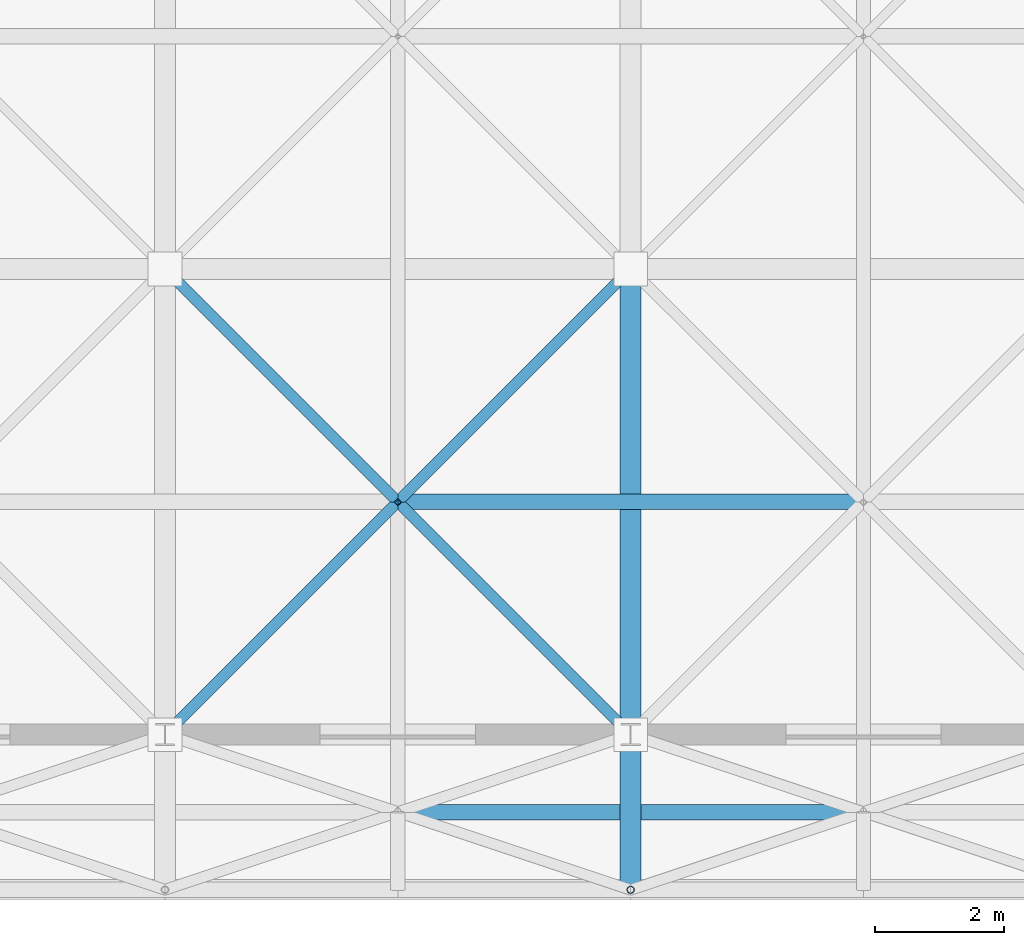
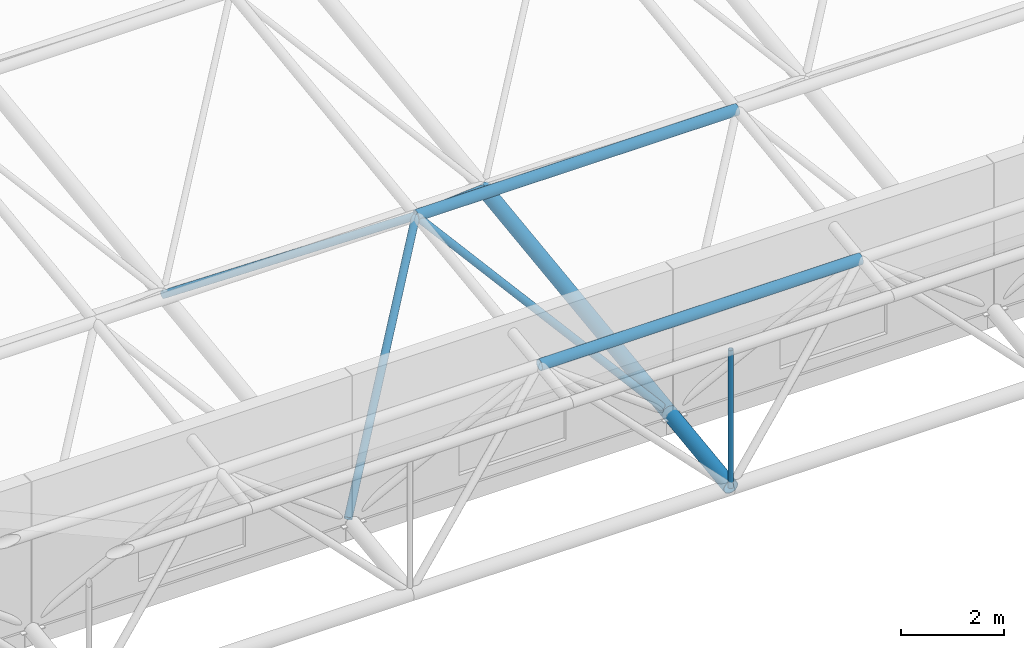
# One storey, part 50 of 103: 9 members.
"""IFC4 building model written with IfcOpenShell, lengths in metres."""

from ifc_helpers import new_model, si_unit, direction, frame, origin, origin_2d, place, context, subcontext, project, spatial, hollow_circle, extrude, material, material_profile, profile_set, type_object, element, save


model = new_model("IFC4")

# Units and contexts
model_context = context("Model", 3, precision=1e-05, world=origin(), true_north=direction((0.0, 1.0)))
body_context = subcontext(model_context, "Body", "Model", "MODEL_VIEW")
ifc_project = project(units=[si_unit("LENGTHUNIT", "METRE"), si_unit("AREAUNIT", "SQUARE_METRE"), si_unit("VOLUMEUNIT", "CUBIC_METRE"), si_unit("PLANEANGLEUNIT", "RADIAN"), si_unit("MASSUNIT", "GRAM", prefix="KILO")], contexts=[model_context])

# Site, building, storey
site_placement = place(None, origin())
site = spatial("IfcSite", under=ifc_project, at=site_placement, CompositionType="ELEMENT")
building_placement = place(site_placement, origin())
building = spatial("IfcBuilding", under=site, at=building_placement, Name="Thalmaran Polytechnic", CompositionType="ELEMENT")
storey_placement = place(building_placement, frame((0.0, 0.0, 14.39990234375)))
storey = spatial("IfcBuildingStorey", under=building, at=storey_placement, Name="L03", CompositionType="ELEMENT", Elevation=14.39990234375)

# Members
ifc_material = material(Name="Steel S355", Category="steel")
ifc_material_profile_1 = material_profile(ifc_material, hollow_circle(Radius=0.122314453125, WallThickness=0.010009765625, at=origin_2d()), Name="CHS 244.5x10.0")
ifc_profile_set_1 = profile_set([ifc_material_profile_1], Name="Steel S355")
member_type_1 = type_object("IfcMemberType", Name="MB-SFC1", PredefinedType="CHORD", material=ifc_profile_set_1)
for number, where, z_axis, x_axis, name in (
    (1, (154.800048828125, -1.199951171875, 3.4921875), (1.0, 0.0, 0.0), (0.0, 1.0, 0.0), "Space-Frame Top Chord X (7,1)"),
    (2, (154.800048828125, 3.60009765625, 4.1240234375), (1.0, 0.0, 0.0), (0.0, 1.0, 0.0), "Space-Frame Top Chord X (7,2)"),
):
    element("IfcMember", number, at=place(storey_placement, frame(where, z_axis=z_axis, x_axis=x_axis)), inside=storey, type_object=member_type_1, Name=name, PredefinedType="CHORD", context=body_context, shape_type="SweptSolid", body=[
        extrude(hollow_circle(Radius=0.122314453125, WallThickness=0.010009765625, at=origin_2d()), origin(), (0.0, 0.0, 1.0), 7.199951171875),
    ])
ifc_material_profile_2 = material_profile(ifc_material, hollow_circle(Radius=0.161865234375, WallThickness=0.012451171875, at=origin_2d()), Name="CHS 323.9x12.5")
ifc_profile_set_2 = profile_set([ifc_material_profile_2], Name="Steel S355")
member_type_2 = type_object("IfcMemberType", Name="MB-SFC4", PredefinedType="CHORD", material=ifc_profile_set_2)
member_1_placement = place(storey_placement, frame((158.39990234375, -2.39990234375, 0.064208984375), z_axis=(0.0, 0.99144674145, 0.130511910828), x_axis=(-1.0, 0.0, 0.0)))
element("IfcMember", 3, at=member_1_placement, inside=storey, type_object=member_type_2, Name="Space-Frame Bottom Chord Y (7,0)", PredefinedType="CHORD", context=body_context, shape_type="SweptSolid", body=[
    extrude(hollow_circle(Radius=0.161865234375, WallThickness=0.012451171875, at=origin_2d()), origin(), (0.0, 0.0, 1.0), 2.420654296875),
])
member_2_placement = place(storey_placement, frame((158.39990234375, 0.0, 0.380126953125), z_axis=(0.0, 0.991447314079, 0.130507560722), x_axis=(-1.0, 0.0, 0.0)))
element("IfcMember", 4, at=member_2_placement, inside=storey, type_object=member_type_2, Name="Space-Frame Bottom Chord Y (7,1)", PredefinedType="CHORD", context=body_context, shape_type="SweptSolid", body=[
    extrude(hollow_circle(Radius=0.161865234375, WallThickness=0.012451171875, at=origin_2d()), origin(), (0.0, 0.0, 1.0), 7.261962890625),
])
ifc_material_profile_3 = material_profile(ifc_material, hollow_circle(Radius=0.084228515625, WallThickness=0.008056640625, at=origin_2d()), Name="CHS 168.3x8.0")
ifc_profile_set_3 = profile_set([ifc_material_profile_3], Name="Steel S355")
member_type_3 = type_object("IfcMemberType", Name="MB-SFD1", PredefinedType="BRACE", material=ifc_profile_set_3)
for number, where, z_axis, x_axis, name in (
    (5, (151.199951171875, 0.0, 0.380126953125), (0.569665890713, 0.569665890713, 0.592420075552), (-0.707106781187, 0.707106781187, 0.0), "Space-Frame Web Diagonal (6,1)-1"),
    (6, (158.39990234375, 0.0, 0.380126953125), (-0.569639794751, 0.569678427494, 0.592433113089), (-0.707130757816, -0.707082803744, 0.0), "Space-Frame Web Diagonal (6,1)-2"),
):
    element("IfcMember", number, at=place(storey_placement, frame(where, z_axis=z_axis, x_axis=x_axis)), inside=storey, type_object=member_type_3, Name=name, PredefinedType="BRACE", context=body_context, shape_type="SweptSolid", body=[
        extrude(hollow_circle(Radius=0.084228515625, WallThickness=0.008056640625, at=origin_2d()), origin(), (0.0, 0.0, 1.0), 6.319580078125),
    ])
for number, where, z_axis, x_axis, name in (
    (7, (151.199951171875, 7.199951171875, 1.327880859375), (0.619803774917, -0.619761742923, 0.481392420597), (0.707082803744, 0.707130757816, 0.0), "Space-Frame Web Diagonal (6,1)-3"),
    (8, (158.39990234375, 7.199951171875, 1.327880859375), (-0.619777888784, -0.619777888784, 0.481404961699), (0.707106781187, -0.707106781187, 0.0), "Space-Frame Web Diagonal (6,1)-4"),
):
    element("IfcMember", number, at=place(storey_placement, frame(where, z_axis=z_axis, x_axis=x_axis)), inside=storey, type_object=member_type_3, Name=name, PredefinedType="BRACE", context=body_context, shape_type="SweptSolid", body=[
        extrude(hollow_circle(Radius=0.084228515625, WallThickness=0.008056640625, at=origin_2d()), origin(), (0.0, 0.0, 1.0), 5.808349609375),
    ])
ifc_material_profile_4 = material_profile(ifc_material, hollow_circle(Radius=0.05712890625, WallThickness=0.00634765625, at=origin_2d()), Name="CHS 114.3x6.3")
ifc_profile_set_4 = profile_set([ifc_material_profile_4], Name="Steel S355")
member_type_4 = type_object("IfcMemberType", Name="MB-SFD3", PredefinedType="BRACE", material=ifc_profile_set_4)
member_3_placement = place(storey_placement, frame((158.39990234375, -2.39990234375, 0.064208984375), z_axis=(0.0, 0.0, 1.0), x_axis=(1.0, 0.0, 0.0)))
element("IfcMember", 9, at=member_3_placement, inside=storey, type_object=member_type_4, Name="Space-Frame Eave Post (7,0)", PredefinedType="BRACE", context=body_context, shape_type="SweptSolid", body=[
    extrude(hollow_circle(Radius=0.05712890625, WallThickness=0.00634765625, at=origin_2d()), origin(), (0.0, 0.0, 1.0), 3.27001953125),
])

save(model, "model.ifc")
